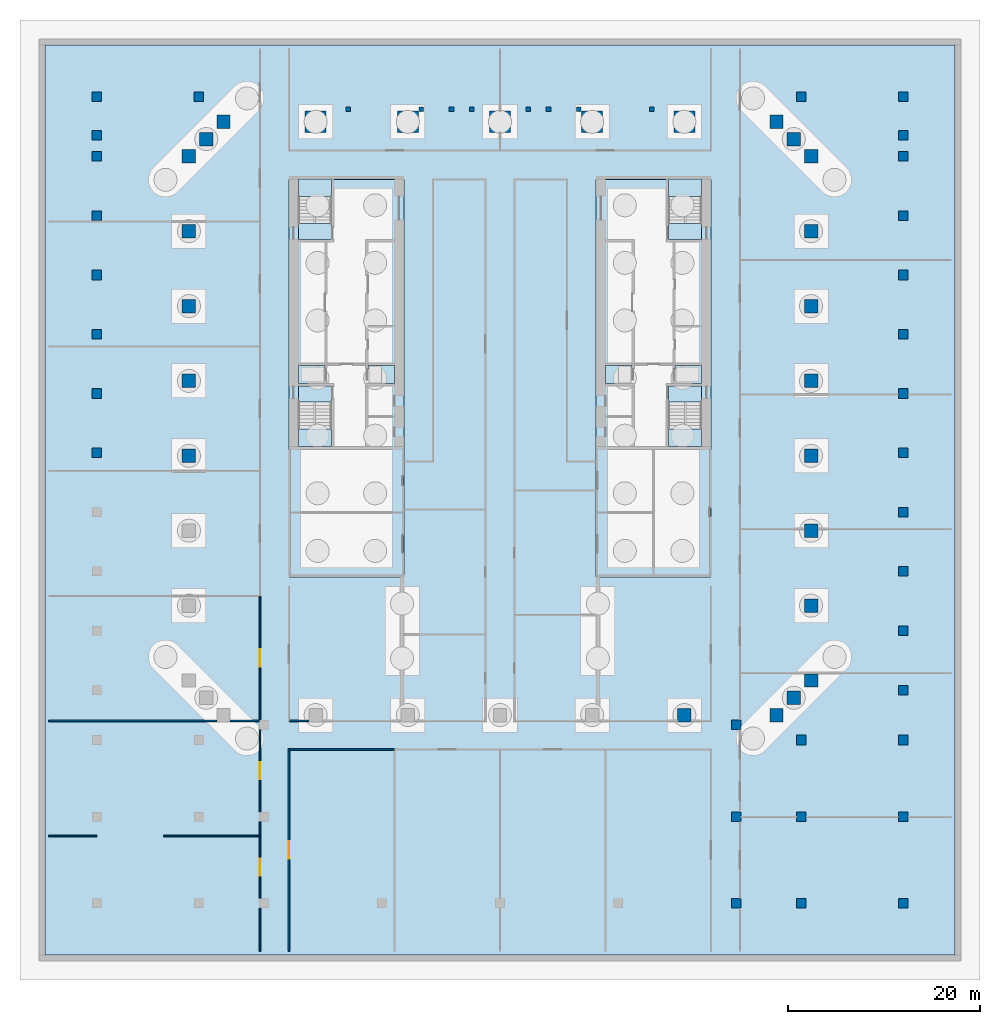
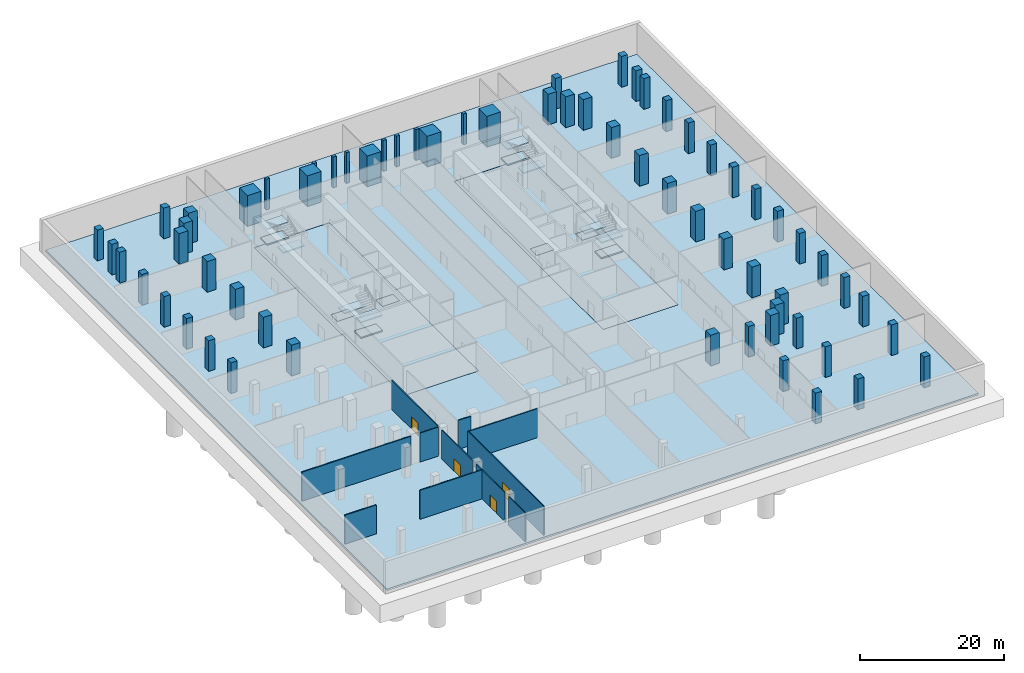
# One storey, part 2 of 14: 64 columns, 19 slabs, 12 walls, 4 doors, 4 openings, 4 elements without a shape of their own.
"""IFC4 building model written with IfcOpenShell, lengths in metres."""

from ifc_helpers import new_model, si_unit, direction, frame, frame_2d, origin, origin_2d, place, context, subcontext, project, spatial, polyline, rectangle, outline, extrude, material, layer, layer_set, material_profile, profile_set, type_object, element, fill, aggregate, save


model = new_model("IFC4")

# Units and contexts
model_context = context("Model", 3, precision=1e-05, world=origin(), true_north=direction((0.0, 1.0)))
body_context = subcontext(model_context, "Body", "Model", "MODEL_VIEW")
ifc_project = project(units=[si_unit("LENGTHUNIT", "METRE"), si_unit("AREAUNIT", "SQUARE_METRE"), si_unit("VOLUMEUNIT", "CUBIC_METRE"), si_unit("PLANEANGLEUNIT", "RADIAN"), si_unit("MASSUNIT", "GRAM", prefix="KILO")], contexts=[model_context])

# Site, building, storey
site_placement = place(None, origin())
site = spatial("IfcSite", under=ifc_project, at=site_placement, CompositionType="ELEMENT")
building_placement = place(site_placement, origin())
building = spatial("IfcBuilding", under=site, at=building_placement, Name="Ogive Exchange Tower", CompositionType="ELEMENT")
storey_placement = place(building_placement, frame((0.0, 0.0, -10.39990234375)))
storey = spatial("IfcBuildingStorey", under=building, at=storey_placement, Name="B2", CompositionType="ELEMENT", Elevation=-10.39990234375)

# Columns
ifc_material_1 = material(Name="Concrete C70/85", Category="concrete")
ifc_material_profile_1 = material_profile(ifc_material_1, rectangle(XDim=1.0, YDim=1.0, at=origin_2d()), Name="RC 1000x1000")
ifc_profile_set_1 = profile_set([ifc_material_profile_1], Name="Concrete C70/85")
column_type_1 = type_object("IfcColumnType", Name="RC column 1000x1000", PredefinedType="COLUMN", material=ifc_profile_set_1)
for number, where, z_axis, x_axis, name in (
    (1, (24.60009765625, -50.0, -0.300048828125), (0.0, 0.0, 1.0), (1.0, 0.0, 0.0), "Podium column"),
    (2, (31.39990234375, -50.0, -0.300048828125), (0.0, 0.0, 1.0), (1.0, 0.0, 0.0), "Podium column"),
    (3, (42.0, -50.0, -0.300048828125), (0.0, 0.0, 1.0), (1.0, 0.0, 0.0), "Podium column"),
    (4, (24.60009765625, -41.0, -0.300048828125), (0.0, 0.0, 1.0), (1.0, 0.0, 0.0), "Podium column"),
    (5, (31.39990234375, -41.0, -0.300048828125), (0.0, 0.0, 1.0), (1.0, 0.0, 0.0), "Podium column"),
    (6, (42.0, -41.0, -0.300048828125), (0.0, 0.0, 1.0), (1.0, 0.0, 0.0), "Podium column"),
    (7, (31.39990234375, -33.0, -0.300048828125), (0.0, 0.0, 1.0), (1.0, 0.0, 0.0), "Podium column"),
    (8, (42.0, -33.0, -0.300048828125), (0.0, 0.0, 1.0), (1.0, 0.0, 0.0), "Podium column"),
    (9, (24.60009765625, -31.39990234375, -0.300048828125), (0.0, 0.0, 1.0), (1.0, 0.0, 0.0), "Podium column"),
    (10, (42.0, -27.800048828125, -0.300048828125), (0.0, 0.0, 1.0), (1.0, 0.0, 0.0), "Podium column"),
    (11, (42.0, -21.6201171875, -0.300048828125), (0.0, 0.0, 1.0), (1.0, 0.0, 0.0), "Podium column"),
    (12, (42.0, -15.43994140625, -0.300048828125), (0.0, 0.0, 1.0), (1.0, 0.0, 0.0), "Podium column"),
    (13, (42.0, -9.27001953125, -0.300048828125), (0.0, 0.0, 1.0), (1.0, 0.0, 0.0), "Podium column"),
    (14, (-42.0, -3.090087890625, -0.300048828125), (0.0, 0.0, 1.0), (1.0, 0.0, 0.0), "Podium column"),
    (15, (42.0, -3.090087890625, -0.300048828125), (0.0, 0.0, 1.0), (1.0, 0.0, 0.0), "Podium column"),
    (16, (-42.0, 3.090087890625, -0.300048828125), (0.0, 0.0, 1.0), (1.0, 0.0, 0.0), "Podium column"),
    (17, (42.0, 3.090087890625, -0.300048828125), (0.0, 0.0, 1.0), (1.0, 0.0, 0.0), "Podium column"),
    (18, (-42.0, 9.27001953125, -0.300048828125), (0.0, 0.0, 1.0), (1.0, 0.0, 0.0), "Podium column"),
    (19, (42.0, 9.27001953125, -0.300048828125), (0.0, 0.0, 1.0), (1.0, 0.0, 0.0), "Podium column"),
    (20, (-42.0, 15.43994140625, -0.300048828125), (0.0, 0.0, 1.0), (1.0, 0.0, 0.0), "Podium column"),
    (21, (42.0, 15.43994140625, -0.300048828125), (0.0, 0.0, 1.0), (1.0, 0.0, 0.0), "Podium column"),
    (22, (-42.0, 21.6201171875, -0.300048828125), (0.0, 0.0, 1.0), (1.0, 0.0, 0.0), "Podium column"),
    (23, (42.0, 21.6201171875, -0.300048828125), (0.0, 0.0, 1.0), (1.0, 0.0, 0.0), "Podium column"),
    (24, (-42.0, 27.800048828125, -0.300048828125), (0.0, 0.0, 1.0), (1.0, 0.0, 0.0), "Podium column"),
    (25, (42.0, 27.800048828125, -0.300048828125), (0.0, 0.0, 1.0), (1.0, 0.0, 0.0), "Podium column"),
    (26, (-42.0, 30.0, -0.300048828125), (0.0, 0.0, 1.0), (1.0, 0.0, 0.0), "Podium column"),
    (27, (42.0, 30.0, -0.300048828125), (0.0, 0.0, 1.0), (1.0, 0.0, 0.0), "Podium column"),
    (28, (-42.0, 34.0, -0.300048828125), (0.0, 0.0, 1.0), (1.0, 0.0, 0.0), "Podium column"),
    (29, (-31.39990234375, 34.0, -0.300048828125), (0.0, 0.0, 1.0), (1.0, 0.0, 0.0), "Podium column"),
    (30, (31.39990234375, 34.0, -0.300048828125), (0.0, 0.0, 1.0), (1.0, 0.0, 0.0), "Podium column"),
    (31, (42.0, 34.0, -0.300048828125), (0.0, 0.0, 1.0), (1.0, 0.0, 0.0), "Podium column"),
):
    element("IfcColumn", number, at=place(storey_placement, frame(where, z_axis=z_axis, x_axis=x_axis)), inside=storey, type_object=column_type_1, Name=name, PredefinedType="COLUMN", context=body_context, shape_type="SweptSolid", body=[
        extrude(rectangle(XDim=1.0, YDim=1.0, at=origin_2d()), origin(), (0.0, 0.0, 1.0), 5.5),
    ])
ifc_material_profile_2 = material_profile(ifc_material_1, rectangle(XDim=1.39990234375, YDim=1.39990234375, at=origin_2d()), Name="RC 1400x1400")
ifc_profile_set_2 = profile_set([ifc_material_profile_2], Name="Concrete C70/85")
column_type_2 = type_object("IfcColumnType", Name="RC column 1400x1400", PredefinedType="COLUMN", material=ifc_profile_set_2)
for number, where, z_axis, x_axis, name in (
    (32, (19.199951171875, -30.39990234375, -0.300048828125), (0.0, 0.0, 1.0), (1.0, 0.0, 0.0), "Leg column"),
    (33, (28.800048828125, -30.39990234375, -0.300048828125), (0.0, 0.0, 1.0), (1.0, 0.0, 0.0), "Leg column"),
    (34, (30.60009765625, -28.60009765625, -0.300048828125), (0.0, 0.0, 1.0), (1.0, 0.0, 0.0), "Leg column"),
    (35, (32.39990234375, -26.800048828125, -0.300048828125), (0.0, 0.0, 1.0), (1.0, 0.0, 0.0), "Leg column"),
    (36, (32.39990234375, -19.0, -0.300048828125), (0.0, 0.0, 1.0), (1.0, 0.0, 0.0), "Leg column"),
    (37, (32.39990234375, -11.199951171875, -0.300048828125), (0.0, 0.0, 1.0), (1.0, 0.0, 0.0), "Leg column"),
    (38, (-32.39990234375, -3.39990234375, -0.300048828125), (0.0, 0.0, 1.0), (1.0, 0.0, 0.0), "Leg column"),
    (39, (32.39990234375, -3.39990234375, -0.300048828125), (0.0, 0.0, 1.0), (1.0, 0.0, 0.0), "Leg column"),
    (40, (-32.39990234375, 4.39990234375, -0.300048828125), (0.0, 0.0, 1.0), (1.0, 0.0, 0.0), "Leg column"),
    (41, (32.39990234375, 4.39990234375, -0.300048828125), (0.0, 0.0, 1.0), (1.0, 0.0, 0.0), "Leg column"),
    (42, (-32.39990234375, 12.199951171875, -0.300048828125), (0.0, 0.0, 1.0), (1.0, 0.0, 0.0), "Leg column"),
    (43, (32.39990234375, 12.199951171875, -0.300048828125), (0.0, 0.0, 1.0), (1.0, 0.0, 0.0), "Leg column"),
    (44, (-32.39990234375, 20.0, -0.300048828125), (0.0, 0.0, 1.0), (1.0, 0.0, 0.0), "Leg column"),
    (45, (32.39990234375, 20.0, -0.300048828125), (0.0, 0.0, 1.0), (1.0, 0.0, 0.0), "Leg column"),
    (46, (-32.39990234375, 27.800048828125, -0.300048828125), (0.0, 0.0, 1.0), (1.0, 0.0, 0.0), "Leg column"),
    (47, (32.39990234375, 27.800048828125, -0.300048828125), (0.0, 0.0, 1.0), (1.0, 0.0, 0.0), "Leg column"),
    (48, (-30.60009765625, 29.60009765625, -0.300048828125), (0.0, 0.0, 1.0), (1.0, 0.0, 0.0), "Leg column"),
    (49, (30.60009765625, 29.60009765625, -0.300048828125), (0.0, 0.0, 1.0), (1.0, 0.0, 0.0), "Leg column"),
    (50, (-28.800048828125, 31.39990234375, -0.300048828125), (0.0, 0.0, 1.0), (1.0, 0.0, 0.0), "Leg column"),
    (51, (28.800048828125, 31.39990234375, -0.300048828125), (0.0, 0.0, 1.0), (1.0, 0.0, 0.0), "Leg column"),
):
    element("IfcColumn", number, at=place(storey_placement, frame(where, z_axis=z_axis, x_axis=x_axis)), inside=storey, type_object=column_type_2, Name=name, PredefinedType="COLUMN", context=body_context, shape_type="SweptSolid", body=[
        extrude(rectangle(XDim=1.39990234375, YDim=1.39990234375, at=origin_2d()), origin(), (0.0, 0.0, 1.0), 5.5),
    ])
ifc_material_profile_3 = material_profile(ifc_material_1, rectangle(XDim=0.5, YDim=0.5, at=origin_2d()), Name="RC 500x500")
ifc_profile_set_3 = profile_set([ifc_material_profile_3], Name="Concrete C70/85")
column_type_3 = type_object("IfcColumnType", Name="RC column 500x500", PredefinedType="COLUMN", material=ifc_profile_set_3)
for number, where, z_axis, x_axis, name in (
    (52, (-15.800048828125, 32.699951171875, -0.300048828125), (0.0, 0.0, 1.0), (1.0, 0.0, 0.0), "Forecourt pier support"),
    (53, (-8.199951171875, 32.699951171875, -0.300048828125), (0.0, 0.0, 1.0), (1.0, 0.0, 0.0), "Forecourt pier support"),
    (54, (-5.050048828125, 32.699951171875, -0.300048828125), (0.0, 0.0, 1.0), (1.0, 0.0, 0.0), "Forecourt pier support"),
    (55, (-2.949951171875, 32.699951171875, -0.300048828125), (0.0, 0.0, 1.0), (1.0, 0.0, 0.0), "Forecourt pier support"),
    (56, (2.949951171875, 32.699951171875, -0.300048828125), (0.0, 0.0, 1.0), (1.0, 0.0, 0.0), "Forecourt pier support"),
    (57, (5.050048828125, 32.699951171875, -0.300048828125), (0.0, 0.0, 1.0), (1.0, 0.0, 0.0), "Forecourt pier support"),
    (58, (8.199951171875, 32.699951171875, -0.300048828125), (0.0, 0.0, 1.0), (1.0, 0.0, 0.0), "Forecourt pier support"),
    (59, (15.800048828125, 32.699951171875, -0.300048828125), (0.0, 0.0, 1.0), (1.0, 0.0, 0.0), "Forecourt pier support"),
):
    element("IfcColumn", number, at=place(storey_placement, frame(where, z_axis=z_axis, x_axis=x_axis)), inside=storey, type_object=column_type_3, Name=name, PredefinedType="COLUMN", context=body_context, shape_type="SweptSolid", body=[
        extrude(rectangle(XDim=0.5, YDim=0.5, at=origin_2d()), origin(), (0.0, 0.0, 1.0), 5.5),
    ])
ifc_material_profile_4 = material_profile(ifc_material_1, rectangle(XDim=2.199951171875, YDim=2.199951171875, at=origin_2d()), Name="RC 2200x2200")
ifc_profile_set_4 = profile_set([ifc_material_profile_4], Name="Concrete C70/85")
column_type_4 = type_object("IfcColumnType", Name="RC pier 2200x2200", PredefinedType="COLUMN", material=ifc_profile_set_4)
for number, where, z_axis, x_axis, name in (
    (60, (-19.199951171875, 31.39990234375, -0.300048828125), (0.0, 0.0, 1.0), (1.0, 0.0, 0.0), "Entrance pier"),
    (61, (-9.60009765625, 31.39990234375, -0.300048828125), (0.0, 0.0, 1.0), (1.0, 0.0, 0.0), "Entrance pier"),
    (62, (0.0, 31.39990234375, -0.300048828125), (0.0, 0.0, 1.0), (1.0, 0.0, 0.0), "Entrance pier"),
    (63, (9.60009765625, 31.39990234375, -0.300048828125), (0.0, 0.0, 1.0), (1.0, 0.0, 0.0), "Entrance pier"),
    (64, (19.199951171875, 31.39990234375, -0.300048828125), (0.0, 0.0, 1.0), (1.0, 0.0, 0.0), "Entrance pier"),
):
    element("IfcColumn", number, at=place(storey_placement, frame(where, z_axis=z_axis, x_axis=x_axis)), inside=storey, type_object=column_type_4, Name=name, PredefinedType="COLUMN", context=body_context, shape_type="SweptSolid", body=[
        extrude(rectangle(XDim=2.199951171875, YDim=2.199951171875, at=origin_2d()), origin(), (0.0, 0.0, 1.0), 5.5),
    ])

# Slabs
ifc_layer_1 = layer(ifc_material_1, 0.300048828125)
ifc_layer_set_1 = layer_set([ifc_layer_1], Name="Core floor slab 300")
slab_type_1 = type_object("IfcSlabType", Name="Core floor slab 300", PredefinedType="FLOOR", material=ifc_layer_set_1)
slab_1_placement = place(storey_placement, frame((0.0, 0.0, -0.300048828125)))
element("IfcSlab", 65, at=slab_1_placement, inside=storey, type_object=slab_type_1, Name="Core floor slab", PredefinedType="FLOOR", context=body_context, shape_type="SweptSolid", body=[
    extrude(outline(polyline([(-22.0, -16.0), (-22.0, 25.39990234375), (-10.0, 25.39990234375), (-10.0, -16.0), (-22.0, -16.0)]), holes=[polyline([(-21.0, 4.14990234375), (-18.25, 4.14990234375), (-18.25, 5.992919921875), (-21.0, 5.992919921875), (-21.0, 4.14990234375)]), polyline([(-13.75, 4.14990234375), (-11.0, 4.14990234375), (-11.0, 5.992919921875), (-13.75, 5.992919921875), (-13.75, 4.14990234375)])]), origin(), (0.0, 0.0, 1.0), 0.300048828125),
])
slab_2_placement = place(storey_placement, frame((0.0, 0.0, -0.300048828125)))
element("IfcSlab", 66, at=slab_2_placement, inside=storey, type_object=slab_type_1, Name="Core floor slab", PredefinedType="FLOOR", context=body_context, shape_type="SweptSolid", body=[
    extrude(outline(polyline([(10.0, -16.0), (10.0, 25.39990234375), (22.0, 25.39990234375), (22.0, -16.0), (10.0, -16.0)]), holes=[polyline([(11.0, 4.14990234375), (13.75, 4.14990234375), (13.75, 5.992919921875), (11.0, 5.992919921875), (11.0, 4.14990234375)]), polyline([(18.25, 4.14990234375), (21.0, 4.14990234375), (21.0, 5.992919921875), (18.25, 5.992919921875), (18.25, 4.14990234375)])]), origin(), (0.0, 0.0, 1.0), 0.300048828125),
])
ifc_material_2 = material(Name="Concrete C50/60", Category="concrete")
ifc_layer_2 = layer(ifc_material_2, 0.300048828125)
ifc_layer_set_2 = layer_set([ifc_layer_2], Name="Ground slab on raft 300")
slab_type_2 = type_object("IfcSlabType", Name="Ground slab on raft 300", PredefinedType="BASESLAB", material=ifc_layer_set_2)
slab_3_placement = place(storey_placement, frame((0.0, 0.0, -0.300048828125)))
element("IfcSlab", 67, at=slab_3_placement, inside=storey, type_object=slab_type_2, Name="Ground slab on raft", PredefinedType="BASESLAB", context=body_context, shape_type="SweptSolid", body=[
    extrude(outline(polyline([(-47.39990234375, -55.39990234375), (-47.39990234375, 39.39990234375), (47.39990234375, 39.39990234375), (47.39990234375, -55.39990234375), (-47.39990234375, -55.39990234375)]), holes=[polyline([(-10.0, 25.39990234375), (-22.0, 25.39990234375), (-22.0, -16.0), (-10.0, -16.0), (-10.0, 25.39990234375)]), polyline([(22.0, 25.39990234375), (10.0, 25.39990234375), (10.0, -16.0), (22.0, -16.0), (22.0, 25.39990234375)])]), origin(), (0.0, 0.0, 1.0), 0.300048828125),
])
ifc_layer_3 = layer(ifc_material_1, 0.300048828125)
ifc_layer_set_3 = layer_set([ifc_layer_3], Name="Lift pit slab 300")
slab_type_3 = type_object("IfcSlabType", Name="Lift pit slab 300", PredefinedType="BASESLAB", material=ifc_layer_set_3)
slab_4_placement = place(storey_placement, frame((0.0, 0.0, -0.300048828125)))
element("IfcSlab", 68, at=slab_4_placement, inside=storey, type_object=slab_type_3, Name="Lift pit slab FF1", PredefinedType="BASESLAB", context=body_context, shape_type="SweptSolid", body=[
    extrude(outline(polyline([(-21.0, 4.14990234375), (-18.25, 4.14990234375), (-18.25, 5.992919921875), (-21.0, 5.992919921875), (-21.0, 4.14990234375)])), origin(), (0.0, 0.0, 1.0), 0.300048828125),
])
slab_5_placement = place(storey_placement, frame((0.0, 0.0, -0.300048828125)))
element("IfcSlab", 69, at=slab_5_placement, inside=storey, type_object=slab_type_3, Name="Lift pit slab SV1", PredefinedType="BASESLAB", context=body_context, shape_type="SweptSolid", body=[
    extrude(outline(polyline([(-13.75, 4.14990234375), (-11.0, 4.14990234375), (-11.0, 5.992919921875), (-13.75, 5.992919921875), (-13.75, 4.14990234375)])), origin(), (0.0, 0.0, 1.0), 0.300048828125),
])
slab_6_placement = place(storey_placement, frame((0.0, 0.0, -0.300048828125)))
element("IfcSlab", 70, at=slab_6_placement, inside=storey, type_object=slab_type_3, Name="Lift pit slab FF2", PredefinedType="BASESLAB", context=body_context, shape_type="SweptSolid", body=[
    extrude(outline(polyline([(18.25, 4.14990234375), (21.0, 4.14990234375), (21.0, 5.992919921875), (18.25, 5.992919921875), (18.25, 4.14990234375)])), origin(), (0.0, 0.0, 1.0), 0.300048828125),
])
slab_7_placement = place(storey_placement, frame((0.0, 0.0, -0.300048828125)))
element("IfcSlab", 71, at=slab_7_placement, inside=storey, type_object=slab_type_3, Name="Lift pit slab SV2", PredefinedType="BASESLAB", context=body_context, shape_type="SweptSolid", body=[
    extrude(outline(polyline([(11.0, 4.14990234375), (13.75, 4.14990234375), (13.75, 5.992919921875), (11.0, 5.992919921875), (11.0, 4.14990234375)])), origin(), (0.0, 0.0, 1.0), 0.300048828125),
])

# Stair, slabs
ifc_material_3 = material(Name="Concrete C40/50", Category="concrete")
stair_type = type_object("IfcStairType", Name="Exit stair 1650 wide", PredefinedType="HALF_TURN_STAIR", material=ifc_material_3)
stair_1_placement = place(storey_placement, origin())
stair_1 = element("IfcStair", 72, at=stair_1_placement, inside=storey, type_object=stair_type, Name="B2 exit stair ST1", PredefinedType="HALF_TURN_STAIR")
ifc_layer_4 = layer(ifc_material_3, 0.199951171875)
ifc_layer_set_4 = layer_set([ifc_layer_4], Name="Stair landing 200 slab")
slab_type_4 = type_object("IfcSlabType", Name="Stair landing 200 slab", PredefinedType="LANDING", material=ifc_layer_set_4)
slab_8_placement = place(storey_placement, frame((0.0, 0.0, 1.099853515625)))
slab_8 = element("IfcSlab", 73, at=slab_8_placement, type_object=slab_type_4, Name="ST1 landing 1", PredefinedType="LANDING", context=body_context, shape_type="SweptSolid", body=[
    extrude(outline(polyline([(-21.0, -0.60791015625), (-21.0, -2.449951171875), (-17.550048828125, -2.449951171875), (-17.550048828125, -0.60791015625), (-21.0, -0.60791015625)])), origin(), (0.0, 0.0, 1.0), 0.199951171875),
])
slab_9_placement = place(storey_placement, frame((0.0, 0.0, 2.39990234375)))
slab_9 = element("IfcSlab", 74, at=slab_9_placement, type_object=slab_type_4, Name="ST1 landing 2", PredefinedType="LANDING", context=body_context, shape_type="SweptSolid", body=[
    extrude(outline(polyline([(-21.0, 3.85009765625), (-21.0, 2.199951171875), (-17.550048828125, 2.199951171875), (-17.550048828125, 3.85009765625), (-21.0, 3.85009765625)])), origin(), (0.0, 0.0, 1.0), 0.199951171875),
])
slab_10_placement = place(storey_placement, frame((0.0, 0.0, 3.699951171875)))
slab_10 = element("IfcSlab", 75, at=slab_10_placement, type_object=slab_type_4, Name="ST1 landing 3", PredefinedType="LANDING", context=body_context, shape_type="SweptSolid", body=[
    extrude(outline(polyline([(-21.0, -0.60791015625), (-21.0, -2.449951171875), (-17.550048828125, -2.449951171875), (-17.550048828125, -0.60791015625), (-21.0, -0.60791015625)])), origin(), (0.0, 0.0, 1.0), 0.199951171875),
])
aggregate(stair_1, [slab_8, slab_9, slab_10])

stair_2_placement = place(storey_placement, origin())
stair_2 = element("IfcStair", 76, at=stair_2_placement, inside=storey, type_object=stair_type, Name="B2 exit stair ST2", PredefinedType="HALF_TURN_STAIR")
slab_11_placement = place(storey_placement, frame((0.0, 0.0, 1.099853515625)))
slab_11 = element("IfcSlab", 77, at=slab_11_placement, type_object=slab_type_4, Name="ST2 landing 1", PredefinedType="LANDING", context=body_context, shape_type="SweptSolid", body=[
    extrude(outline(polyline([(-17.550048828125, 23.60791015625), (-17.550048828125, 25.449951171875), (-21.0, 25.449951171875), (-21.0, 23.60791015625), (-17.550048828125, 23.60791015625)])), origin(), (0.0, 0.0, 1.0), 0.199951171875),
])
slab_12_placement = place(storey_placement, frame((0.0, 0.0, 2.39990234375)))
slab_12 = element("IfcSlab", 78, at=slab_12_placement, type_object=slab_type_4, Name="ST2 landing 2", PredefinedType="LANDING", context=body_context, shape_type="SweptSolid", body=[
    extrude(outline(polyline([(-17.550048828125, 19.14990234375), (-17.550048828125, 20.800048828125), (-21.0, 20.800048828125), (-21.0, 19.14990234375), (-17.550048828125, 19.14990234375)])), origin(), (0.0, 0.0, 1.0), 0.199951171875),
])
slab_13_placement = place(storey_placement, frame((0.0, 0.0, 3.699951171875)))
slab_13 = element("IfcSlab", 79, at=slab_13_placement, type_object=slab_type_4, Name="ST2 landing 3", PredefinedType="LANDING", context=body_context, shape_type="SweptSolid", body=[
    extrude(outline(polyline([(-17.550048828125, 23.60791015625), (-17.550048828125, 25.449951171875), (-21.0, 25.449951171875), (-21.0, 23.60791015625), (-17.550048828125, 23.60791015625)])), origin(), (0.0, 0.0, 1.0), 0.199951171875),
])
aggregate(stair_2, [slab_11, slab_12, slab_13])

stair_3_placement = place(storey_placement, origin())
stair_3 = element("IfcStair", 80, at=stair_3_placement, inside=storey, type_object=stair_type, Name="B2 exit stair ST3", PredefinedType="HALF_TURN_STAIR")
slab_14_placement = place(storey_placement, frame((0.0, 0.0, 1.099853515625)))
slab_14 = element("IfcSlab", 81, at=slab_14_placement, type_object=slab_type_4, Name="ST3 landing 1", PredefinedType="LANDING", context=body_context, shape_type="SweptSolid", body=[
    extrude(outline(polyline([(17.550048828125, -0.60791015625), (17.550048828125, -2.449951171875), (21.0, -2.449951171875), (21.0, -0.60791015625), (17.550048828125, -0.60791015625)])), origin(), (0.0, 0.0, 1.0), 0.199951171875),
])
slab_15_placement = place(storey_placement, frame((0.0, 0.0, 2.39990234375)))
slab_15 = element("IfcSlab", 82, at=slab_15_placement, type_object=slab_type_4, Name="ST3 landing 2", PredefinedType="LANDING", context=body_context, shape_type="SweptSolid", body=[
    extrude(outline(polyline([(17.550048828125, 3.85009765625), (17.550048828125, 2.199951171875), (21.0, 2.199951171875), (21.0, 3.85009765625), (17.550048828125, 3.85009765625)])), origin(), (0.0, 0.0, 1.0), 0.199951171875),
])
slab_16_placement = place(storey_placement, frame((0.0, 0.0, 3.699951171875)))
slab_16 = element("IfcSlab", 83, at=slab_16_placement, type_object=slab_type_4, Name="ST3 landing 3", PredefinedType="LANDING", context=body_context, shape_type="SweptSolid", body=[
    extrude(outline(polyline([(17.550048828125, -0.60791015625), (17.550048828125, -2.449951171875), (21.0, -2.449951171875), (21.0, -0.60791015625), (17.550048828125, -0.60791015625)])), origin(), (0.0, 0.0, 1.0), 0.199951171875),
])
aggregate(stair_3, [slab_14, slab_15, slab_16])

stair_4_placement = place(storey_placement, origin())
stair_4 = element("IfcStair", 84, at=stair_4_placement, inside=storey, type_object=stair_type, Name="B2 exit stair ST4", PredefinedType="HALF_TURN_STAIR")
slab_17_placement = place(storey_placement, frame((0.0, 0.0, 1.099853515625)))
slab_17 = element("IfcSlab", 85, at=slab_17_placement, type_object=slab_type_4, Name="ST4 landing 1", PredefinedType="LANDING", context=body_context, shape_type="SweptSolid", body=[
    extrude(outline(polyline([(21.0, 23.60791015625), (21.0, 25.449951171875), (17.550048828125, 25.449951171875), (17.550048828125, 23.60791015625), (21.0, 23.60791015625)])), origin(), (0.0, 0.0, 1.0), 0.199951171875),
])
slab_18_placement = place(storey_placement, frame((0.0, 0.0, 2.39990234375)))
slab_18 = element("IfcSlab", 86, at=slab_18_placement, type_object=slab_type_4, Name="ST4 landing 2", PredefinedType="LANDING", context=body_context, shape_type="SweptSolid", body=[
    extrude(outline(polyline([(21.0, 19.14990234375), (21.0, 20.800048828125), (17.550048828125, 20.800048828125), (17.550048828125, 19.14990234375), (21.0, 19.14990234375)])), origin(), (0.0, 0.0, 1.0), 0.199951171875),
])
slab_19_placement = place(storey_placement, frame((0.0, 0.0, 3.699951171875)))
slab_19 = element("IfcSlab", 87, at=slab_19_placement, type_object=slab_type_4, Name="ST4 landing 3", PredefinedType="LANDING", context=body_context, shape_type="SweptSolid", body=[
    extrude(outline(polyline([(21.0, 23.60791015625), (21.0, 25.449951171875), (17.550048828125, 25.449951171875), (17.550048828125, 23.60791015625), (21.0, 23.60791015625)])), origin(), (0.0, 0.0, 1.0), 0.199951171875),
])
aggregate(stair_4, [slab_17, slab_18, slab_19])

# Walls
ifc_material_4 = material(Name="Fire partition EI 60 150")
ifc_layer_5 = layer(ifc_material_4, 0.14990234375)
ifc_layer_set_5 = layer_set([ifc_layer_5], Name="Fire partition EI 60 150")
wall_type = type_object("IfcWallType", Name="Fire partition EI 60 150", PredefinedType="PARTITIONING", material=ifc_layer_set_5)
wall_1_placement = place(storey_placement, frame((-47.0, -43.0, 0.0), z_axis=(0.0, 0.0, 1.0), x_axis=(1.0, 0.0, 0.0)))
element("IfcWall", 88, at=wall_1_placement, inside=storey, type_object=wall_type, Name="B2-PWL-001", PredefinedType="PARTITIONING", context=body_context, shape_type="SweptSolid", body=[
    extrude(rectangle(XDim=5.0, YDim=0.14990234375, at=frame_2d((2.5, 0.0))), origin(), (0.0, 0.0, 1.0), 4.89990234375),
])
wall_2_placement = place(storey_placement, frame((-35.0, -43.0, 0.0), z_axis=(0.0, 0.0, 1.0), x_axis=(1.0, 0.0, 0.0)))
element("IfcWall", 89, at=wall_2_placement, inside=storey, type_object=wall_type, Name="B2-PWL-002", PredefinedType="PARTITIONING", context=body_context, shape_type="SweptSolid", body=[
    extrude(rectangle(XDim=9.925048828125, YDim=0.14990234375, at=frame_2d((4.96240234375, 0.0))), origin(), (0.0, 0.0, 1.0), 4.89990234375),
])
wall_3_placement = place(storey_placement, frame((-21.925048828125, -34.0, 0.0), z_axis=(0.0, 0.0, 1.0), x_axis=(1.0, 0.0, 0.0)))
element("IfcWall", 90, at=wall_3_placement, inside=storey, type_object=wall_type, Name="B2-PWL-006", PredefinedType="PARTITIONING", context=body_context, shape_type="SweptSolid", body=[
    extrude(rectangle(XDim=10.925048828125, YDim=0.14990234375, at=frame_2d((5.46240234375, 0.0))), origin(), (0.0, 0.0, 1.0), 4.89990234375),
])
wall_4_placement = place(storey_placement, frame((-47.0, -31.0, 0.0), z_axis=(0.0, 0.0, 1.0), x_axis=(1.0, 0.0, 0.0)))
element("IfcWall", 91, at=wall_4_placement, inside=storey, type_object=wall_type, Name="B2-PWL-010", PredefinedType="PARTITIONING", context=body_context, shape_type="SweptSolid", body=[
    extrude(rectangle(XDim=17.5, YDim=0.14990234375, at=frame_2d((8.75, 0.0))), origin(), (0.0, 0.0, 1.0), 4.89990234375),
])
wall_5_placement = place(storey_placement, frame((-28.10009765625, -31.0, 0.0), z_axis=(0.0, 0.0, 1.0), x_axis=(1.0, 0.0, 0.0)))
element("IfcWall", 92, at=wall_5_placement, inside=storey, type_object=wall_type, Name="B2-PWL-011", PredefinedType="PARTITIONING", context=body_context, shape_type="SweptSolid", body=[
    extrude(rectangle(XDim=3.0, YDim=0.14990234375, at=frame_2d((1.5, 0.0))), origin(), (0.0, 0.0, 1.0), 4.89990234375),
])
wall_6_placement = place(storey_placement, frame((-21.925048828125, -31.0, 0.0), z_axis=(0.0, 0.0, 1.0), x_axis=(1.0, 0.0, 0.0)))
element("IfcWall", 93, at=wall_6_placement, inside=storey, type_object=wall_type, Name="B2-PWL-012", PredefinedType="PARTITIONING", context=body_context, shape_type="SweptSolid", body=[
    extrude(rectangle(XDim=2.025146484375, YDim=0.14990234375, at=frame_2d((1.0126953125, 0.0))), origin(), (0.0, 0.0, 1.0), 4.89990234375),
])
wall_7_placement = place(storey_placement, frame((-25.0, -55.0, 0.0), z_axis=(0.0, 0.0, 1.0), x_axis=(0.0, 1.0, 0.0)))
element("IfcWall", 94, at=wall_7_placement, inside=storey, type_object=wall_type, Name="B2-PWL-038", PredefinedType="PARTITIONING", context=body_context, shape_type="SweptSolid", body=[
    extrude(rectangle(XDim=4.5, YDim=0.14990234375, at=frame_2d((2.25, 0.0))), origin(), (0.0, 0.0, 1.0), 4.89990234375),
])

# Wall, opening, door
wall_8_placement = place(storey_placement, frame((-25.0, -49.5, 0.0), z_axis=(0.0, 0.0, 1.0), x_axis=(0.0, 1.0, 0.0)))
wall_8 = element("IfcWall", 95, at=wall_8_placement, inside=storey, type_object=wall_type, Name="B2-PWL-039", PredefinedType="PARTITIONING", context=body_context, shape_type="SweptSolid", body=[
    extrude(rectangle(XDim=6.5, YDim=0.14990234375, at=frame_2d((3.25, 0.0))), origin(), (0.0, 0.0, 1.0), 4.89990234375),
])
opening_1_placement = place(wall_8_placement, frame((2.35009765625, 0.0, 0.0)))
opening_1 = element("IfcOpeningElement", 96, at=opening_1_placement, cuts=wall_8, Name="Opening B2-I01", PredefinedType="OPENING", context=body_context, shape_type="SweptSolid", body=[
    extrude(rectangle(XDim=1.800048828125, YDim=2.10009765625, at=frame_2d((0.89990234375, 1.050048828125))), frame((0.0, 0.0849609375, 0.0), z_axis=(0.0, -1.0, 0.0), x_axis=(1.0, 0.0, 0.0)), (0.0, 0.0, 1.0), 0.169921875),
])
ifc_material_5 = material(Name="Fire door FD 30S 1800 x 2100")
door_type = type_object("IfcDoorType", Name="Fire door FD 30S 1800 x 2100", OperationType="DOUBLE_DOOR_SINGLE_SWING", PredefinedType="DOOR", material=ifc_material_5)
door_1_placement = place(opening_1_placement, origin())
door_1 = element("IfcDoor", 97, at=door_1_placement, inside=storey, type_object=door_type, Name="B2-IDR-001", ObjectType="DT4", OperationType="SINGLE_SWING_LEFT", OverallHeight=2.10009765625, OverallWidth=1.800048828125, PredefinedType="DOOR", context=body_context, shape_type="SweptSolid", body=[
    extrude(rectangle(XDim=1.800048828125, YDim=2.10009765625, at=frame_2d((0.89990234375, 1.050048828125))), frame((0.0, 0.02490234375, 0.0), z_axis=(0.0, -1.0, 0.0), x_axis=(1.0, 0.0, 0.0)), (0.0, 0.0, 1.0), 0.050048828125),
])
fill(opening_1, door_1)

# Wall
wall_9_placement = place(storey_placement, frame((-25.0, -43.0, 0.0), z_axis=(0.0, 0.0, 1.0), x_axis=(0.0, 1.0, 0.0)))
element("IfcWall", 98, at=wall_9_placement, inside=storey, type_object=wall_type, Name="B2-PWL-040", PredefinedType="PARTITIONING", context=body_context, shape_type="SweptSolid", body=[
    extrude(rectangle(XDim=1.5, YDim=0.14990234375, at=frame_2d((0.75, 0.0))), origin(), (0.0, 0.0, 1.0), 4.89990234375),
])

# Wall, opening, door
wall_10_placement = place(storey_placement, frame((-25.0, -40.5, 0.0), z_axis=(0.0, 0.0, 1.0), x_axis=(0.0, 1.0, 0.0)))
wall_10 = element("IfcWall", 99, at=wall_10_placement, inside=storey, type_object=wall_type, Name="B2-PWL-041", PredefinedType="PARTITIONING", context=body_context, shape_type="SweptSolid", body=[
    extrude(rectangle(XDim=8.60009765625, YDim=0.14990234375, at=frame_2d((4.300048828125, 0.0))), origin(), (0.0, 0.0, 1.0), 4.89990234375),
])
opening_2_placement = place(wall_10_placement, frame((3.39990234375, 0.0, 0.0)))
opening_2 = element("IfcOpeningElement", 100, at=opening_2_placement, cuts=wall_10, Name="Opening B2-I02", PredefinedType="OPENING", context=body_context, shape_type="SweptSolid", body=[
    extrude(rectangle(XDim=1.800048828125, YDim=2.10009765625, at=frame_2d((0.89990234375, 1.050048828125))), frame((0.0, 0.0849609375, 0.0), z_axis=(0.0, -1.0, 0.0), x_axis=(1.0, 0.0, 0.0)), (0.0, 0.0, 1.0), 0.169921875),
])
door_2_placement = place(opening_2_placement, origin())
door_2 = element("IfcDoor", 101, at=door_2_placement, inside=storey, type_object=door_type, Name="B2-IDR-002", ObjectType="DT4", OperationType="SINGLE_SWING_LEFT", OverallHeight=2.10009765625, OverallWidth=1.800048828125, PredefinedType="DOOR", context=body_context, shape_type="SweptSolid", body=[
    extrude(rectangle(XDim=1.800048828125, YDim=2.10009765625, at=frame_2d((0.89990234375, 1.050048828125))), frame((0.0, 0.02490234375, 0.0), z_axis=(0.0, -1.0, 0.0), x_axis=(1.0, 0.0, 0.0)), (0.0, 0.0, 1.0), 0.050048828125),
])
fill(opening_2, door_2)

wall_11_placement = place(storey_placement, frame((-25.0, -30.89990234375, 0.0), z_axis=(0.0, 0.0, 1.0), x_axis=(0.0, 1.0, 0.0)))
wall_11 = element("IfcWall", 102, at=wall_11_placement, inside=storey, type_object=wall_type, Name="B2-PWL-042", PredefinedType="PARTITIONING", context=body_context, shape_type="SweptSolid", body=[
    extrude(rectangle(XDim=12.89990234375, YDim=0.14990234375, at=frame_2d((6.449951171875, 0.0))), origin(), (0.0, 0.0, 1.0), 4.89990234375),
])
opening_3_placement = place(wall_11_placement, frame((5.550048828125, 0.0, 0.0)))
opening_3 = element("IfcOpeningElement", 103, at=opening_3_placement, cuts=wall_11, Name="Opening B2-I03", PredefinedType="OPENING", context=body_context, shape_type="SweptSolid", body=[
    extrude(rectangle(XDim=1.800048828125, YDim=2.10009765625, at=frame_2d((0.89990234375, 1.050048828125))), frame((0.0, 0.0849609375, 0.0), z_axis=(0.0, -1.0, 0.0), x_axis=(1.0, 0.0, 0.0)), (0.0, 0.0, 1.0), 0.169921875),
])
door_3_placement = place(opening_3_placement, frame((1.800048828125, 0.0, 0.0), z_axis=(0.0, 0.0, 1.0), x_axis=(-1.0, 0.0, 0.0)))
door_3 = element("IfcDoor", 104, at=door_3_placement, inside=storey, type_object=door_type, Name="B2-IDR-003", ObjectType="DT4", OperationType="SINGLE_SWING_RIGHT", OverallHeight=2.10009765625, OverallWidth=1.800048828125, PredefinedType="DOOR", context=body_context, shape_type="SweptSolid", body=[
    extrude(rectangle(XDim=1.800048828125, YDim=2.10009765625, at=frame_2d((0.89990234375, 1.050048828125))), frame((0.0, 0.02490234375, 0.0), z_axis=(0.0, -1.0, 0.0), x_axis=(1.0, 0.0, 0.0)), (0.0, 0.0, 1.0), 0.050048828125),
])
fill(opening_3, door_3)

wall_12_placement = place(storey_placement, frame((-22.0, -55.0, 0.0), z_axis=(0.0, 0.0, 1.0), x_axis=(0.0, 1.0, 0.0)))
wall_12 = element("IfcWall", 105, at=wall_12_placement, inside=storey, type_object=wall_type, Name="B2-PWL-047", PredefinedType="PARTITIONING", context=body_context, shape_type="SweptSolid", body=[
    extrude(rectangle(XDim=21.074951171875, YDim=0.14990234375, at=frame_2d((10.53759765625, 0.0))), origin(), (0.0, 0.0, 1.0), 4.89990234375),
])
opening_4_placement = place(wall_12_placement, frame((9.637451171875, 0.0, 0.0)))
opening_4 = element("IfcOpeningElement", 106, at=opening_4_placement, cuts=wall_12, Name="Opening B2-I28", PredefinedType="OPENING", context=body_context, shape_type="SweptSolid", body=[
    extrude(rectangle(XDim=1.800048828125, YDim=2.10009765625, at=frame_2d((0.89990234375, 1.050048828125))), frame((0.0, 0.0849609375, 0.0), z_axis=(0.0, -1.0, 0.0), x_axis=(1.0, 0.0, 0.0)), (0.0, 0.0, 1.0), 0.169921875),
])
door_4_placement = place(opening_4_placement, frame((1.800048828125, 0.0, 0.0), z_axis=(0.0, 0.0, 1.0), x_axis=(-1.0, 0.0, 0.0)))
door_4 = element("IfcDoor", 107, at=door_4_placement, inside=storey, type_object=door_type, Name="B2-IDR-028", ObjectType="DT4", OperationType="SINGLE_SWING_RIGHT", OverallHeight=2.10009765625, OverallWidth=1.800048828125, PredefinedType="DOOR", context=body_context, shape_type="SweptSolid", body=[
    extrude(rectangle(XDim=1.800048828125, YDim=2.10009765625, at=frame_2d((0.89990234375, 1.050048828125))), frame((0.0, 0.02490234375, 0.0), z_axis=(0.0, -1.0, 0.0), x_axis=(1.0, 0.0, 0.0)), (0.0, 0.0, 1.0), 0.050048828125),
])
fill(opening_4, door_4)

save(model, "model.ifc")
